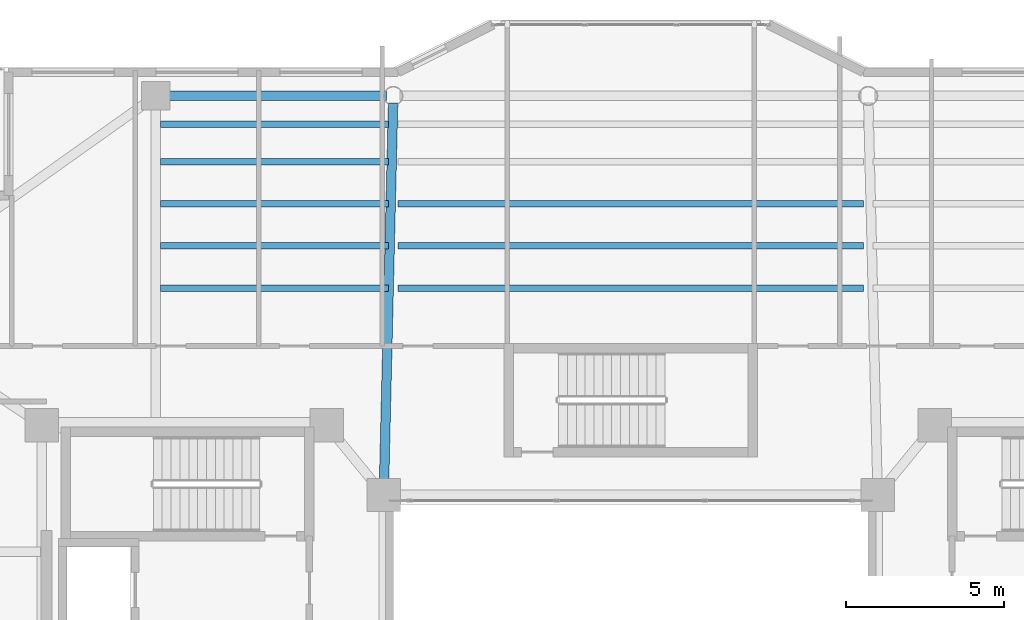
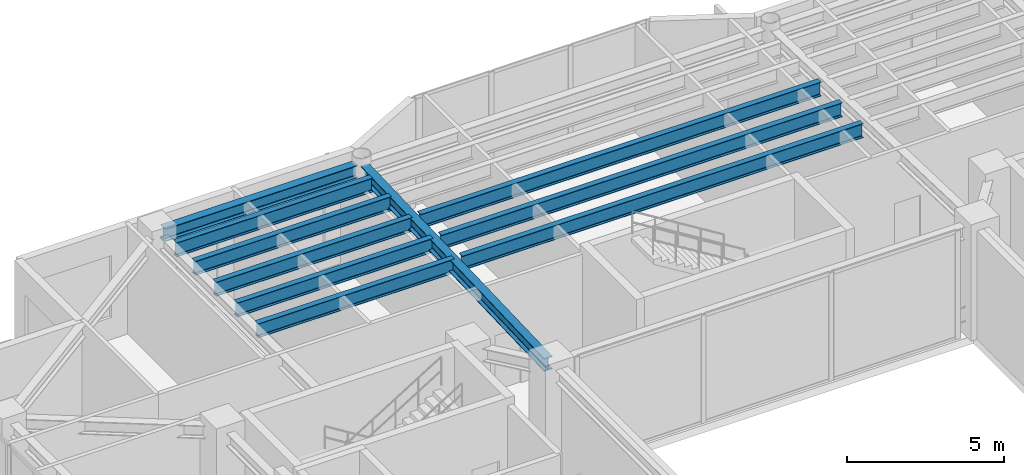
# One storey, part 18 of 33: 10 beams.
"""IFC4 building model written with IfcOpenShell, lengths in metres."""

from ifc_helpers import new_model, si_unit, direction, frame, origin, origin_2d, place, context, subcontext, project, spatial, i_section, extrude, material, material_profile, profile_set, type_object, element, save


model = new_model("IFC4")

# Units and contexts
model_context = context("Model", 3, precision=1e-05, world=origin(), true_north=direction((0.0, 1.0)))
body_context = subcontext(model_context, "Body", "Model", "MODEL_VIEW")
ifc_project = project(units=[si_unit("LENGTHUNIT", "METRE"), si_unit("AREAUNIT", "SQUARE_METRE"), si_unit("VOLUMEUNIT", "CUBIC_METRE"), si_unit("PLANEANGLEUNIT", "RADIAN"), si_unit("MASSUNIT", "GRAM", prefix="KILO")], contexts=[model_context])

# Site, building, storey
site_placement = place(None, origin())
site = spatial("IfcSite", under=ifc_project, at=site_placement, CompositionType="ELEMENT")
building_placement = place(site_placement, origin())
building = spatial("IfcBuilding", under=site, at=building_placement, Name="Tarnavaz Court Tower", CompositionType="ELEMENT")
storey_placement = place(building_placement, frame((0.0, 0.0, 177.300048828125)))
storey = spatial("IfcBuildingStorey", under=building, at=storey_placement, Name="L48", CompositionType="ELEMENT", Elevation=177.300048828125)

# Beams
ifc_material = material(Name="Steel S355", Category="steel")
ifc_material_profile_1 = material_profile(ifc_material, i_section(OverallWidth=0.300048828125, OverallDepth=0.5, WebThickness=0.014404296875, FlangeThickness=0.028076171875, FilletRadius=0.027099609375, at=origin_2d()), Name="HEB 500")
ifc_profile_set_1 = profile_set([ifc_material_profile_1], Name="Steel S355")
beam_type_1 = type_object("IfcBeamType", Name="BM-G-HEB500", PredefinedType="USERDEFINED", material=ifc_profile_set_1)
beam_1_placement = place(storey_placement, frame((-7.794921875, 8.02001953125, 3.949951171875), z_axis=(0.023824748444, 0.999716150395, 0.0), x_axis=(-0.999716150395, 0.023824748444, 0.0)))
element("IfcBeam", 1, at=beam_1_placement, inside=storey, type_object=beam_type_1, Name="L48 Beam RG-02", ObjectType="GIRDER", PredefinedType="USERDEFINED", context=body_context, shape_type="SweptSolid", body=[
    extrude(i_section(OverallWidth=0.300048828125, OverallDepth=0.5, WebThickness=0.014404296875, FlangeThickness=0.028076171875, FilletRadius=0.027099609375, at=origin_2d()), origin(), (0.0, 0.0, 1.0), 12.16357421875),
])
ifc_material_profile_2 = material_profile(ifc_material, i_section(OverallWidth=0.2099609375, OverallDepth=0.550048828125, WebThickness=0.010986328125, FlangeThickness=0.01708984375, FilletRadius=0.02392578125, at=origin_2d()), Name="IPE 550")
ifc_profile_set_2 = profile_set([ifc_material_profile_2], Name="Steel S355")
beam_type_2 = type_object("IfcBeamType", Name="BM-J-IPE550", PredefinedType="JOIST", material=ifc_profile_set_2)
beam_2_placement = place(storey_placement, frame((-14.85009765625, 14.33203125, 3.925048828125), z_axis=(1.0, 0.0, 0.0), x_axis=(0.0, 1.0, 0.0)))
element("IfcBeam", 2, at=beam_2_placement, inside=storey, type_object=beam_type_2, Name="L48 Beam JN1-1", PredefinedType="JOIST", context=body_context, shape_type="SweptSolid", body=[
    extrude(i_section(OverallWidth=0.2099609375, OverallDepth=0.550048828125, WebThickness=0.010986328125, FlangeThickness=0.01708984375, FilletRadius=0.02392578125, at=origin_2d()), origin(), (0.0, 0.0, 1.0), 7.2001953125),
])
beam_3_placement = place(storey_placement, frame((-7.35009765625, 14.33203125, 3.925048828125), z_axis=(1.0, 0.0, 0.0), x_axis=(0.0, 1.0, 0.0)))
element("IfcBeam", 3, at=beam_3_placement, inside=storey, type_object=beam_type_2, Name="L48 Beam JN1-2", PredefinedType="JOIST", context=body_context, shape_type="SweptSolid", body=[
    extrude(i_section(OverallWidth=0.2099609375, OverallDepth=0.550048828125, WebThickness=0.010986328125, FlangeThickness=0.01708984375, FilletRadius=0.02392578125, at=origin_2d()), origin(), (0.0, 0.0, 1.0), 14.7001953125),
])
beam_4_placement = place(storey_placement, frame((-14.85009765625, 15.6640625, 3.925048828125), z_axis=(1.0, 0.0, 0.0), x_axis=(0.0, 1.0, 0.0)))
element("IfcBeam", 4, at=beam_4_placement, inside=storey, type_object=beam_type_2, Name="L48 Beam JN2-1", PredefinedType="JOIST", context=body_context, shape_type="SweptSolid", body=[
    extrude(i_section(OverallWidth=0.2099609375, OverallDepth=0.550048828125, WebThickness=0.010986328125, FlangeThickness=0.01708984375, FilletRadius=0.02392578125, at=origin_2d()), origin(), (0.0, 0.0, 1.0), 7.2001953125),
])
beam_5_placement = place(storey_placement, frame((-7.35009765625, 15.6640625, 3.925048828125), z_axis=(1.0, 0.0, 0.0), x_axis=(0.0, 1.0, 0.0)))
element("IfcBeam", 5, at=beam_5_placement, inside=storey, type_object=beam_type_2, Name="L48 Beam JN2-2", PredefinedType="JOIST", context=body_context, shape_type="SweptSolid", body=[
    extrude(i_section(OverallWidth=0.2099609375, OverallDepth=0.550048828125, WebThickness=0.010986328125, FlangeThickness=0.01708984375, FilletRadius=0.02392578125, at=origin_2d()), origin(), (0.0, 0.0, 1.0), 14.7001953125),
])
beam_6_placement = place(storey_placement, frame((-14.85009765625, 16.99609375, 3.925048828125), z_axis=(1.0, 0.0, 0.0), x_axis=(0.0, 1.0, 0.0)))
element("IfcBeam", 6, at=beam_6_placement, inside=storey, type_object=beam_type_2, Name="L48 Beam JN3-1", PredefinedType="JOIST", context=body_context, shape_type="SweptSolid", body=[
    extrude(i_section(OverallWidth=0.2099609375, OverallDepth=0.550048828125, WebThickness=0.010986328125, FlangeThickness=0.01708984375, FilletRadius=0.02392578125, at=origin_2d()), origin(), (0.0, 0.0, 1.0), 7.2001953125),
])
beam_7_placement = place(storey_placement, frame((-7.35009765625, 16.99609375, 3.925048828125), z_axis=(1.0, 0.0, 0.0), x_axis=(0.0, 1.0, 0.0)))
element("IfcBeam", 7, at=beam_7_placement, inside=storey, type_object=beam_type_2, Name="L48 Beam JN3-2", PredefinedType="JOIST", context=body_context, shape_type="SweptSolid", body=[
    extrude(i_section(OverallWidth=0.2099609375, OverallDepth=0.550048828125, WebThickness=0.010986328125, FlangeThickness=0.01708984375, FilletRadius=0.02392578125, at=origin_2d()), origin(), (0.0, 0.0, 1.0), 14.7001953125),
])
for number, where, z_axis, x_axis, name in (
    (8, (-14.85009765625, 18.327880859375, 3.925048828125), (1.0, 0.0, 0.0), (0.0, 1.0, 0.0), "L48 Beam JN4-1"),
    (9, (-14.85009765625, 19.511962890625, 3.925048828125), (1.0, 0.0, 0.0), (0.0, 1.0, 0.0), "L48 Beam JN5-1"),
):
    element("IfcBeam", number, at=place(storey_placement, frame(where, z_axis=z_axis, x_axis=x_axis)), inside=storey, type_object=beam_type_2, Name=name, PredefinedType="JOIST", context=body_context, shape_type="SweptSolid", body=[
        extrude(i_section(OverallWidth=0.2099609375, OverallDepth=0.550048828125, WebThickness=0.010986328125, FlangeThickness=0.01708984375, FilletRadius=0.02392578125, at=origin_2d()), origin(), (0.0, 0.0, 1.0), 7.2001953125),
    ])
ifc_material_profile_3 = material_profile(ifc_material, i_section(OverallWidth=0.300048828125, OverallDepth=0.489990234375, WebThickness=0.011962890625, FlangeThickness=0.02294921875, FilletRadius=0.027099609375, at=origin_2d()), Name="HEA 500")
ifc_profile_set_3 = profile_set([ifc_material_profile_3], Name="Steel S355")
beam_type_3 = type_object("IfcBeamType", Name="BM-SP-HEA500", PredefinedType="SPANDREL", material=ifc_profile_set_3)
beam_8_placement = place(storey_placement, frame((-14.780029296875, 20.39990234375, 3.954833984375), z_axis=(1.0, 0.0, 0.0), x_axis=(0.0, 1.0, 0.0)))
element("IfcBeam", 10, at=beam_8_placement, inside=storey, type_object=beam_type_3, Name="L48 Beam PR-PN-1-PN-2", PredefinedType="SPANDREL", context=body_context, shape_type="SweptSolid", body=[
    extrude(i_section(OverallWidth=0.300048828125, OverallDepth=0.489990234375, WebThickness=0.011962890625, FlangeThickness=0.02294921875, FilletRadius=0.027099609375, at=origin_2d()), origin(), (0.0, 0.0, 1.0), 7.06005859375),
])

save(model, "model.ifc")
